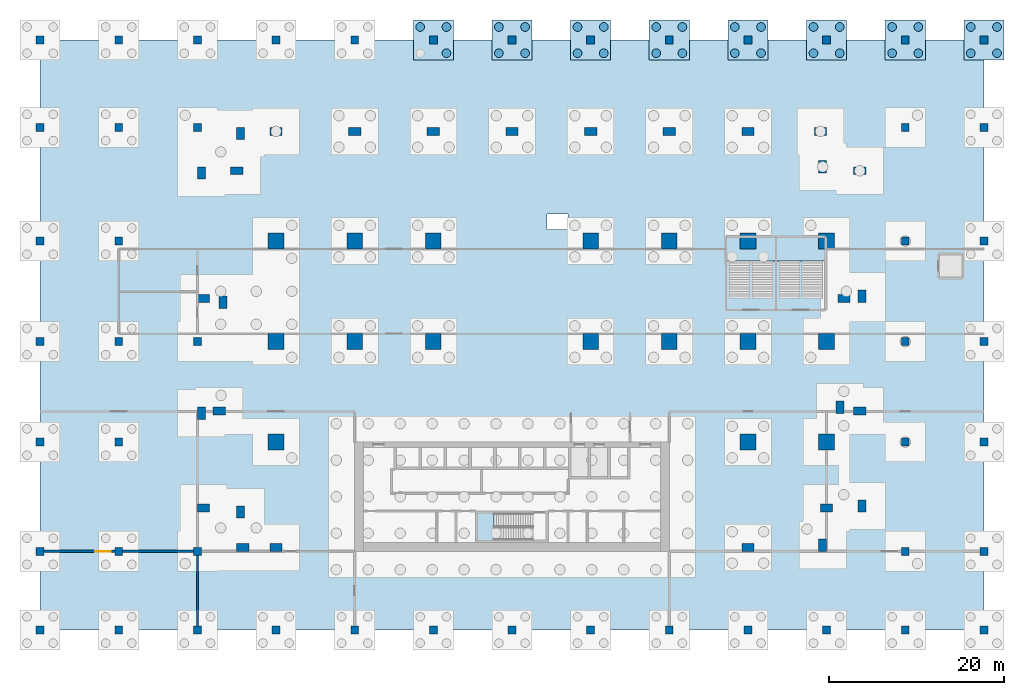
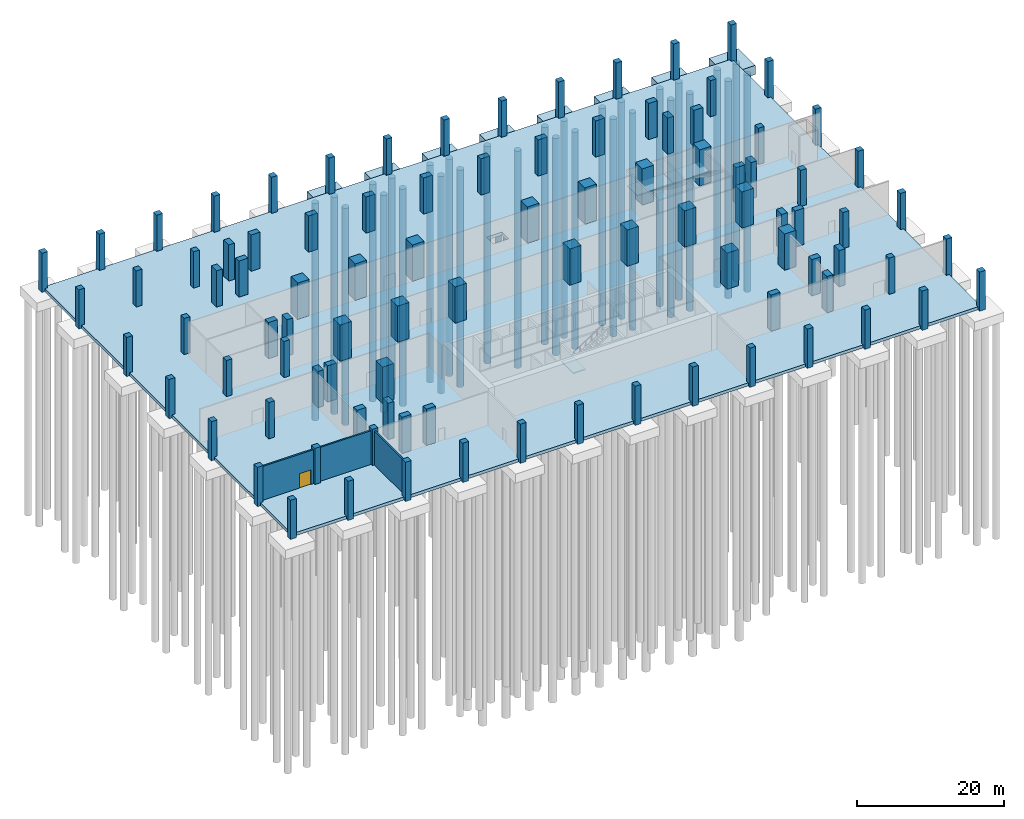
# One storey, part 3 of 9: 95 columns, 31 piles, 8 footings, 4 slabs, 2 walls, 1 door, 1 opening, 3 elements without a shape of their own.
"""IFC4 building model written with IfcOpenShell, lengths in metres."""

from ifc_helpers import new_model, si_unit, direction, frame, frame_2d, origin, origin_2d, place, context, subcontext, project, spatial, polyline, rectangle, circle, outline, extrude, material, layer, layer_set, material_profile, profile_set, type_object, element, fill, aggregate, save


model = new_model("IFC4")

# Units and contexts
model_context = context("Model", 3, precision=1e-05, world=origin(), true_north=direction((0.0, 1.0)))
body_context = subcontext(model_context, "Body", "Model", "MODEL_VIEW")
ifc_project = project(units=[si_unit("LENGTHUNIT", "METRE"), si_unit("AREAUNIT", "SQUARE_METRE"), si_unit("VOLUMEUNIT", "CUBIC_METRE"), si_unit("PLANEANGLEUNIT", "RADIAN"), si_unit("MASSUNIT", "GRAM", prefix="KILO")], contexts=[model_context])

# Site, building, storey
site_placement = place(None, origin())
site = spatial("IfcSite", under=ifc_project, at=site_placement, CompositionType="ELEMENT")
building_placement = place(site_placement, origin())
building = spatial("IfcBuilding", under=site, at=building_placement, Name="Brigalow Station Residences", CompositionType="ELEMENT")
storey_placement = place(building_placement, frame((0.0, 0.0, -6.0)))
storey = spatial("IfcBuildingStorey", under=building, at=storey_placement, Name="B1", CompositionType="ELEMENT", Elevation=-6.0)

# Piles
ifc_material_1 = material(Name="Concrete C50", Category="concrete")
ifc_material_profile_1 = material_profile(ifc_material_1, circle(Radius=0.5, at=origin_2d()), Name="BP1000")
ifc_profile_set_1 = profile_set([ifc_material_profile_1], Name="Concrete C50")
pile_type = type_object("IfcPileType", Name="BORED PILE 1000", PredefinedType="BORED", material=ifc_profile_set_1)
for number, where, z_axis, x_axis, name in (
    (1, (25.5, 60.0, -2.0), (0.0, 0.0, -1.0), (1.0, 0.0, 0.0), "BORED PILE 59-2"),
    (2, (28.5, 57.0, -2.0), (0.0, 0.0, -1.0), (1.0, 0.0, 0.0), "BORED PILE 59-3"),
    (3, (28.5, 60.0, -2.0), (0.0, 0.0, -1.0), (1.0, 0.0, 0.0), "BORED PILE 59-4"),
    (4, (34.5, 57.0, -2.0), (0.0, 0.0, -1.0), (1.0, 0.0, 0.0), "BORED PILE 60-1"),
    (5, (34.5, 60.0, -2.0), (0.0, 0.0, -1.0), (1.0, 0.0, 0.0), "BORED PILE 60-2"),
    (6, (37.5, 57.0, -2.0), (0.0, 0.0, -1.0), (1.0, 0.0, 0.0), "BORED PILE 60-3"),
    (7, (37.5, 60.0, -2.0), (0.0, 0.0, -1.0), (1.0, 0.0, 0.0), "BORED PILE 60-4"),
    (8, (43.5, 57.0, -2.0), (0.0, 0.0, -1.0), (1.0, 0.0, 0.0), "BORED PILE 61-1"),
    (9, (43.5, 60.0, -2.0), (0.0, 0.0, -1.0), (1.0, 0.0, 0.0), "BORED PILE 61-2"),
    (10, (46.5, 57.0, -2.0), (0.0, 0.0, -1.0), (1.0, 0.0, 0.0), "BORED PILE 61-3"),
    (11, (46.5, 60.0, -2.0), (0.0, 0.0, -1.0), (1.0, 0.0, 0.0), "BORED PILE 61-4"),
    (12, (52.5, 57.0, -2.0), (0.0, 0.0, -1.0), (1.0, 0.0, 0.0), "BORED PILE 62-1"),
    (13, (52.5, 60.0, -2.0), (0.0, 0.0, -1.0), (1.0, 0.0, 0.0), "BORED PILE 62-2"),
    (14, (55.5, 57.0, -2.0), (0.0, 0.0, -1.0), (1.0, 0.0, 0.0), "BORED PILE 62-3"),
    (15, (55.5, 60.0, -2.0), (0.0, 0.0, -1.0), (1.0, 0.0, 0.0), "BORED PILE 62-4"),
    (16, (61.5, 57.0, -2.0), (0.0, 0.0, -1.0), (1.0, 0.0, 0.0), "BORED PILE 63-1"),
    (17, (61.5, 60.0, -2.0), (0.0, 0.0, -1.0), (1.0, 0.0, 0.0), "BORED PILE 63-2"),
    (18, (64.5, 57.0, -2.0), (0.0, 0.0, -1.0), (1.0, 0.0, 0.0), "BORED PILE 63-3"),
    (19, (64.5, 60.0, -2.0), (0.0, 0.0, -1.0), (1.0, 0.0, 0.0), "BORED PILE 63-4"),
    (20, (70.5, 57.0, -2.0), (0.0, 0.0, -1.0), (1.0, 0.0, 0.0), "BORED PILE 64-1"),
    (21, (70.5, 60.0, -2.0), (0.0, 0.0, -1.0), (1.0, 0.0, 0.0), "BORED PILE 64-2"),
    (22, (73.5, 57.0, -2.0), (0.0, 0.0, -1.0), (1.0, 0.0, 0.0), "BORED PILE 64-3"),
    (23, (73.5, 60.0, -2.0), (0.0, 0.0, -1.0), (1.0, 0.0, 0.0), "BORED PILE 64-4"),
    (24, (79.5, 57.0, -2.0), (0.0, 0.0, -1.0), (1.0, 0.0, 0.0), "BORED PILE 65-1"),
    (25, (79.5, 60.0, -2.0), (0.0, 0.0, -1.0), (1.0, 0.0, 0.0), "BORED PILE 65-2"),
    (26, (82.5, 57.0, -2.0), (0.0, 0.0, -1.0), (1.0, 0.0, 0.0), "BORED PILE 65-3"),
    (27, (82.5, 60.0, -2.0), (0.0, 0.0, -1.0), (1.0, 0.0, 0.0), "BORED PILE 65-4"),
    (28, (88.5, 57.0, -2.0), (0.0, 0.0, -1.0), (1.0, 0.0, 0.0), "BORED PILE 66-1"),
    (29, (88.5, 60.0, -2.0), (0.0, 0.0, -1.0), (1.0, 0.0, 0.0), "BORED PILE 66-2"),
    (30, (91.5, 57.0, -2.0), (0.0, 0.0, -1.0), (1.0, 0.0, 0.0), "BORED PILE 66-3"),
    (31, (91.5, 60.0, -2.0), (0.0, 0.0, -1.0), (1.0, 0.0, 0.0), "BORED PILE 66-4"),
):
    element("IfcPile", number, at=place(storey_placement, frame(where, z_axis=z_axis, x_axis=x_axis)), inside=storey, type_object=pile_type, Name=name, PredefinedType="BORED", context=body_context, shape_type="SweptSolid", body=[
        extrude(circle(Radius=0.5, at=origin_2d()), origin(), (0.0, 0.0, 1.0), 36.0),
    ])

# Footings
ifc_material_2 = material(Name="Concrete C65", Category="concrete")
footing_type = type_object("IfcFootingType", Name="PODIUM PILE CAP", PredefinedType="PILE_CAP", material=ifc_material_2)
footing_1_placement = place(storey_placement, frame((0.0, 0.0, -2.0)))
element("IfcFooting", 32, at=footing_1_placement, inside=storey, type_object=footing_type, Name="PILE CAP 59", PredefinedType="PILE_CAP", context=body_context, shape_type="SweptSolid", body=[
    extrude(outline(polyline([(29.300048828125, 56.199951171875), (29.300048828125, 60.800048828125), (24.699951171875, 60.800048828125), (24.699951171875, 56.199951171875), (29.300048828125, 56.199951171875)])), origin(), (0.0, 0.0, 1.0), 1.5),
])
footing_2_placement = place(storey_placement, frame((0.0, 0.0, -2.0)))
element("IfcFooting", 33, at=footing_2_placement, inside=storey, type_object=footing_type, Name="PILE CAP 60", PredefinedType="PILE_CAP", context=body_context, shape_type="SweptSolid", body=[
    extrude(outline(polyline([(38.300048828125, 56.199951171875), (38.300048828125, 60.800048828125), (33.699951171875, 60.800048828125), (33.699951171875, 56.199951171875), (38.300048828125, 56.199951171875)])), origin(), (0.0, 0.0, 1.0), 1.5),
])
footing_3_placement = place(storey_placement, frame((0.0, 0.0, -2.0)))
element("IfcFooting", 34, at=footing_3_placement, inside=storey, type_object=footing_type, Name="PILE CAP 61", PredefinedType="PILE_CAP", context=body_context, shape_type="SweptSolid", body=[
    extrude(outline(polyline([(47.300048828125, 56.199951171875), (47.300048828125, 60.800048828125), (42.699951171875, 60.800048828125), (42.699951171875, 56.199951171875), (47.300048828125, 56.199951171875)])), origin(), (0.0, 0.0, 1.0), 1.5),
])
footing_4_placement = place(storey_placement, frame((0.0, 0.0, -2.0)))
element("IfcFooting", 35, at=footing_4_placement, inside=storey, type_object=footing_type, Name="PILE CAP 62", PredefinedType="PILE_CAP", context=body_context, shape_type="SweptSolid", body=[
    extrude(outline(polyline([(56.300048828125, 56.199951171875), (56.300048828125, 60.800048828125), (51.699951171875, 60.800048828125), (51.699951171875, 56.199951171875), (56.300048828125, 56.199951171875)])), origin(), (0.0, 0.0, 1.0), 1.5),
])
footing_5_placement = place(storey_placement, frame((0.0, 0.0, -2.0)))
element("IfcFooting", 36, at=footing_5_placement, inside=storey, type_object=footing_type, Name="PILE CAP 63", PredefinedType="PILE_CAP", context=body_context, shape_type="SweptSolid", body=[
    extrude(outline(polyline([(65.300048828125, 56.199951171875), (65.300048828125, 60.800048828125), (60.699951171875, 60.800048828125), (60.699951171875, 56.199951171875), (65.300048828125, 56.199951171875)])), origin(), (0.0, 0.0, 1.0), 1.5),
])
footing_6_placement = place(storey_placement, frame((0.0, 0.0, -2.0)))
element("IfcFooting", 37, at=footing_6_placement, inside=storey, type_object=footing_type, Name="PILE CAP 64", PredefinedType="PILE_CAP", context=body_context, shape_type="SweptSolid", body=[
    extrude(outline(polyline([(74.300048828125, 56.199951171875), (74.300048828125, 60.800048828125), (69.699951171875, 60.800048828125), (69.699951171875, 56.199951171875), (74.300048828125, 56.199951171875)])), origin(), (0.0, 0.0, 1.0), 1.5),
])
footing_7_placement = place(storey_placement, frame((0.0, 0.0, -2.0)))
element("IfcFooting", 38, at=footing_7_placement, inside=storey, type_object=footing_type, Name="PILE CAP 65", PredefinedType="PILE_CAP", context=body_context, shape_type="SweptSolid", body=[
    extrude(outline(polyline([(83.300048828125, 56.199951171875), (83.300048828125, 60.800048828125), (78.699951171875, 60.800048828125), (78.699951171875, 56.199951171875), (83.300048828125, 56.199951171875)])), origin(), (0.0, 0.0, 1.0), 1.5),
])
footing_8_placement = place(storey_placement, frame((0.0, 0.0, -2.0)))
element("IfcFooting", 39, at=footing_8_placement, inside=storey, type_object=footing_type, Name="PILE CAP 66", PredefinedType="PILE_CAP", context=body_context, shape_type="SweptSolid", body=[
    extrude(outline(polyline([(92.300048828125, 56.199951171875), (92.300048828125, 60.800048828125), (87.699951171875, 60.800048828125), (87.699951171875, 56.199951171875), (92.300048828125, 56.199951171875)])), origin(), (0.0, 0.0, 1.0), 1.5),
])

# Columns
ifc_material_3 = material(Name="Concrete C80", Category="concrete")
ifc_material_profile_2 = material_profile(ifc_material_3, rectangle(XDim=1.800048828125, YDim=1.800048828125, at=origin_2d()), Name="RC1800x1800")
ifc_profile_set_2 = profile_set([ifc_material_profile_2], Name="Concrete C80")
column_type_1 = type_object("IfcColumnType", Name="COLUMN 1800x1800 C80", PredefinedType="COLUMN", material=ifc_profile_set_2)
for number, where, z_axis, x_axis, name in (
    (40, (9.0, 12.5, -0.5), (0.0, 0.0, 1.0), (1.0, 0.0, 0.0), "COLUMN B1 B1"),
    (41, (9.0, 24.0, -0.5), (0.0, 0.0, 1.0), (1.0, 0.0, 0.0), "COLUMN C1 B1"),
    (42, (9.0, 35.5, -0.5), (0.0, 0.0, 1.0), (1.0, 0.0, 0.0), "COLUMN D1 B1"),
    (43, (18.0, 24.0, -0.5), (0.0, 0.0, 1.0), (1.0, 0.0, 0.0), "COLUMN C2 B1"),
    (44, (18.0, 35.5, -0.5), (0.0, 0.0, 1.0), (1.0, 0.0, 0.0), "COLUMN D2 B1"),
    (45, (27.0, 24.0, -0.5), (0.0, 0.0, 1.0), (1.0, 0.0, 0.0), "COLUMN C3 B1"),
    (46, (27.0, 35.5, -0.5), (0.0, 0.0, 1.0), (1.0, 0.0, 0.0), "COLUMN D3 B1"),
    (47, (45.0, 24.0, -0.5), (0.0, 0.0, 1.0), (1.0, 0.0, 0.0), "COLUMN C5 B1"),
    (48, (45.0, 35.5, -0.5), (0.0, 0.0, 1.0), (1.0, 0.0, 0.0), "COLUMN D5 B1"),
    (49, (54.0, 24.0, -0.5), (0.0, 0.0, 1.0), (1.0, 0.0, 0.0), "COLUMN C6 B1"),
    (50, (54.0, 35.5, -0.5), (0.0, 0.0, 1.0), (1.0, 0.0, 0.0), "COLUMN D6 B1"),
    (51, (63.0, 12.5, -0.5), (0.0, 0.0, 1.0), (1.0, 0.0, 0.0), "COLUMN B7 B1"),
    (52, (63.0, 24.0, -0.5), (0.0, 0.0, 1.0), (1.0, 0.0, 0.0), "COLUMN C7 B1"),
    (53, (63.0, 35.5, -0.5), (0.0, 0.0, 1.0), (1.0, 0.0, 0.0), "COLUMN D7 B1"),
    (54, (72.0, 12.5, -0.5), (0.0, 0.0, 1.0), (1.0, 0.0, 0.0), "COLUMN B8 B1"),
    (55, (72.0, 24.0, -0.5), (0.0, 0.0, 1.0), (1.0, 0.0, 0.0), "COLUMN C8 B1"),
    (56, (72.0, 35.5, -0.5), (0.0, 0.0, 1.0), (1.0, 0.0, 0.0), "COLUMN D8 B1"),
):
    element("IfcColumn", number, at=place(storey_placement, frame(where, z_axis=z_axis, x_axis=x_axis)), inside=storey, type_object=column_type_1, Name=name, PredefinedType="COLUMN", context=body_context, shape_type="SweptSolid", body=[
        extrude(rectangle(XDim=1.800048828125, YDim=1.800048828125, at=origin_2d()), origin(), (0.0, 0.0, 1.0), 6.5),
    ])
ifc_material_4 = material(Name="Concrete C50", Category="concrete")
ifc_material_profile_3 = material_profile(ifc_material_4, rectangle(XDim=0.89990234375, YDim=0.89990234375, at=origin_2d()), Name="RC900x900")
ifc_profile_set_3 = profile_set([ifc_material_profile_3], Name="Concrete C50")
column_type_2 = type_object("IfcColumnType", Name="COLUMN 900x900 C50", PredefinedType="COLUMN", material=ifc_profile_set_3)
for number, where, z_axis, x_axis, name in (
    (57, (-18.0, -9.0, -0.5), (0.0, 0.0, 1.0), (1.0, 0.0, 0.0), "COLUMN ZW2 B1"),
    (58, (-18.0, 0.0, -0.5), (0.0, 0.0, 1.0), (1.0, 0.0, 0.0), "COLUMN AW2 B1"),
    (59, (-18.0, 12.5, -0.5), (0.0, 0.0, 1.0), (1.0, 0.0, 0.0), "COLUMN BW2 B1"),
    (60, (-18.0, 24.0, -0.5), (0.0, 0.0, 1.0), (1.0, 0.0, 0.0), "COLUMN CW2 B1"),
    (61, (-18.0, 35.5, -0.5), (0.0, 0.0, 1.0), (1.0, 0.0, 0.0), "COLUMN DW2 B1"),
    (62, (-18.0, 48.5, -0.5), (0.0, 0.0, 1.0), (1.0, 0.0, 0.0), "COLUMN EW2 B1"),
    (63, (-18.0, 58.5, -0.5), (0.0, 0.0, 1.0), (1.0, 0.0, 0.0), "COLUMN FW2 B1"),
    (64, (-9.0, -9.0, -0.5), (0.0, 0.0, 1.0), (1.0, 0.0, 0.0), "COLUMN ZW1 B1"),
    (65, (-9.0, 0.0, -0.5), (0.0, 0.0, 1.0), (1.0, 0.0, 0.0), "COLUMN AW1 B1"),
    (66, (-9.0, 12.5, -0.5), (0.0, 0.0, 1.0), (1.0, 0.0, 0.0), "COLUMN BW1 B1"),
    (67, (-9.0, 24.0, -0.5), (0.0, 0.0, 1.0), (1.0, 0.0, 0.0), "COLUMN CW1 B1"),
    (68, (-9.0, 35.5, -0.5), (0.0, 0.0, 1.0), (1.0, 0.0, 0.0), "COLUMN DW1 B1"),
    (69, (-9.0, 48.5, -0.5), (0.0, 0.0, 1.0), (1.0, 0.0, 0.0), "COLUMN EW1 B1"),
    (70, (-9.0, 58.5, -0.5), (0.0, 0.0, 1.0), (1.0, 0.0, 0.0), "COLUMN FW1 B1"),
    (71, (0.0, -9.0, -0.5), (0.0, 0.0, 1.0), (1.0, 0.0, 0.0), "COLUMN Z0 B1"),
    (72, (0.0, 0.0, -0.5), (0.0, 0.0, 1.0), (1.0, 0.0, 0.0), "COLUMN A0 B1"),
    (73, (0.0, 24.0, -0.5), (0.0, 0.0, 1.0), (1.0, 0.0, 0.0), "COLUMN C0 B1"),
    (74, (0.0, 48.5, -0.5), (0.0, 0.0, 1.0), (1.0, 0.0, 0.0), "COLUMN E0 B1"),
    (75, (0.0, 58.5, -0.5), (0.0, 0.0, 1.0), (1.0, 0.0, 0.0), "COLUMN F0 B1"),
    (76, (9.0, -9.0, -0.5), (0.0, 0.0, 1.0), (1.0, 0.0, 0.0), "COLUMN Z1 B1"),
    (77, (9.0, 58.5, -0.5), (0.0, 0.0, 1.0), (1.0, 0.0, 0.0), "COLUMN F1 B1"),
    (78, (18.0, -9.0, -0.5), (0.0, 0.0, 1.0), (1.0, 0.0, 0.0), "COLUMN Z2 B1"),
    (79, (18.0, 58.5, -0.5), (0.0, 0.0, 1.0), (1.0, 0.0, 0.0), "COLUMN F2 B1"),
    (80, (27.0, -9.0, -0.5), (0.0, 0.0, 1.0), (1.0, 0.0, 0.0), "COLUMN Z3 B1"),
    (81, (27.0, 58.5, -0.5), (0.0, 0.0, 1.0), (1.0, 0.0, 0.0), "COLUMN F3 B1"),
    (82, (36.0, -9.0, -0.5), (0.0, 0.0, 1.0), (1.0, 0.0, 0.0), "COLUMN Z4 B1"),
    (83, (36.0, 58.5, -0.5), (0.0, 0.0, 1.0), (1.0, 0.0, 0.0), "COLUMN F4 B1"),
    (84, (45.0, -9.0, -0.5), (0.0, 0.0, 1.0), (1.0, 0.0, 0.0), "COLUMN Z5 B1"),
    (85, (45.0, 58.5, -0.5), (0.0, 0.0, 1.0), (1.0, 0.0, 0.0), "COLUMN F5 B1"),
    (86, (54.0, -9.0, -0.5), (0.0, 0.0, 1.0), (1.0, 0.0, 0.0), "COLUMN Z6 B1"),
    (87, (54.0, 58.5, -0.5), (0.0, 0.0, 1.0), (1.0, 0.0, 0.0), "COLUMN F6 B1"),
    (88, (63.0, -9.0, -0.5), (0.0, 0.0, 1.0), (1.0, 0.0, 0.0), "COLUMN Z7 B1"),
    (89, (63.0, 58.5, -0.5), (0.0, 0.0, 1.0), (1.0, 0.0, 0.0), "COLUMN F7 B1"),
    (90, (72.0, -9.0, -0.5), (0.0, 0.0, 1.0), (1.0, 0.0, 0.0), "COLUMN Z8 B1"),
    (91, (72.0, 58.5, -0.5), (0.0, 0.0, 1.0), (1.0, 0.0, 0.0), "COLUMN F8 B1"),
    (92, (81.0, -9.0, -0.5), (0.0, 0.0, 1.0), (1.0, 0.0, 0.0), "COLUMN Z9 B1"),
    (93, (81.0, 0.0, -0.5), (0.0, 0.0, 1.0), (1.0, 0.0, 0.0), "COLUMN A9 B1"),
    (94, (81.0, 12.5, -0.5), (0.0, 0.0, 1.0), (1.0, 0.0, 0.0), "COLUMN B9 B1"),
    (95, (81.0, 24.0, -0.5), (0.0, 0.0, 1.0), (1.0, 0.0, 0.0), "COLUMN C9 B1"),
    (96, (81.0, 35.5, -0.5), (0.0, 0.0, 1.0), (1.0, 0.0, 0.0), "COLUMN D9 B1"),
    (97, (81.0, 48.5, -0.5), (0.0, 0.0, 1.0), (1.0, 0.0, 0.0), "COLUMN E9 B1"),
    (98, (81.0, 58.5, -0.5), (0.0, 0.0, 1.0), (1.0, 0.0, 0.0), "COLUMN F9 B1"),
    (99, (90.0, -9.0, -0.5), (0.0, 0.0, 1.0), (1.0, 0.0, 0.0), "COLUMN Z10 B1"),
    (100, (90.0, 0.0, -0.5), (0.0, 0.0, 1.0), (1.0, 0.0, 0.0), "COLUMN A10 B1"),
    (101, (90.0, 12.5, -0.5), (0.0, 0.0, 1.0), (1.0, 0.0, 0.0), "COLUMN B10 B1"),
    (102, (90.0, 24.0, -0.5), (0.0, 0.0, 1.0), (1.0, 0.0, 0.0), "COLUMN C10 B1"),
    (103, (90.0, 35.5, -0.5), (0.0, 0.0, 1.0), (1.0, 0.0, 0.0), "COLUMN D10 B1"),
    (104, (90.0, 48.5, -0.5), (0.0, 0.0, 1.0), (1.0, 0.0, 0.0), "COLUMN E10 B1"),
    (105, (90.0, 58.5, -0.5), (0.0, 0.0, 1.0), (1.0, 0.0, 0.0), "COLUMN F10 B1"),
):
    element("IfcColumn", number, at=place(storey_placement, frame(where, z_axis=z_axis, x_axis=x_axis)), inside=storey, type_object=column_type_2, Name=name, PredefinedType="COLUMN", context=body_context, shape_type="SweptSolid", body=[
        extrude(rectangle(XDim=0.89990234375, YDim=0.89990234375, at=origin_2d()), origin(), (0.0, 0.0, 1.0), 6.5),
    ])
ifc_material_5 = material(Name="Concrete C80", Category="concrete")
ifc_material_profile_4 = material_profile(ifc_material_5, rectangle(XDim=1.39990234375, YDim=0.89990234375, at=origin_2d()), Name="RC1400x900")
ifc_profile_set_4 = profile_set([ifc_material_profile_4], Name="Concrete C80")
column_type_3 = type_object("IfcColumnType", Name="PIER 1400x900 C80", PredefinedType="USERDEFINED", material=ifc_profile_set_4)
for number, where, z_axis, x_axis, name in (
    (106, (9.0, 0.449951171875, -0.5), (0.0, 0.0, 1.0), (1.0, 0.0, 0.0), "PIER S-2 B1"),
    (107, (63.0, 0.449951171875, -0.5), (0.0, 0.0, 1.0), (1.0, 0.0, 0.0), "PIER S-14 B1"),
    (108, (71.550048828125, 0.699951171875, -0.5), (0.0, 0.0, 1.0), (0.0, 1.0, 0.0), "PIER SE1-1 B1"),
    (109, (72.0, 4.949951171875, -0.5), (0.0, 0.0, 1.0), (1.0, 0.0, 0.0), "PIER SE2-1 B1"),
    (110, (76.050048828125, 5.199951171875, -0.5), (0.0, 0.0, 1.0), (0.0, 1.0, 0.0), "PIER E1-1 B1"),
    (111, (75.800048828125, 16.050048828125, -0.5), (0.0, 0.0, 1.0), (-1.0, 0.0, 0.0), "PIER EL1-1 B1"),
    (112, (73.550048828125, 16.5, -0.5), (0.0, 0.0, 1.0), (0.0, 1.0, 0.0), "PIER EL2-1 B1"),
    (113, (74.0, 28.949951171875, -0.5), (0.0, 0.0, 1.0), (1.0, 0.0, 0.0), "PIER EL3-1 B1"),
    (114, (76.050048828125, 29.199951171875, -0.5), (0.0, 0.0, 1.0), (0.0, 1.0, 0.0), "PIER E2-1 B1"),
    (115, (75.800048828125, 43.550048828125, -0.5), (0.0, 0.0, 1.0), (-1.0, 0.0, 0.0), "PIER NE1-1 B1"),
    (116, (71.550048828125, 44.0, -0.5), (0.0, 0.0, 1.0), (0.0, 1.0, 0.0), "PIER NE2-1 B1"),
    (117, (71.300048828125, 48.050048828125, -0.5), (0.0, 0.0, 1.0), (-1.0, 0.0, 0.0), "PIER N-1 B1"),
    (118, (63.0, 48.050048828125, -0.5), (0.0, 0.0, 1.0), (-1.0, 0.0, 0.0), "PIER N-3 B1"),
    (119, (54.0, 48.050048828125, -0.5), (0.0, 0.0, 1.0), (-1.0, 0.0, 0.0), "PIER N-5 B1"),
    (120, (45.0, 48.050048828125, -0.5), (0.0, 0.0, 1.0), (-1.0, 0.0, 0.0), "PIER N-7 B1"),
    (121, (36.0, 48.050048828125, -0.5), (0.0, 0.0, 1.0), (-1.0, 0.0, 0.0), "PIER N-9 B1"),
    (122, (27.0, 48.050048828125, -0.5), (0.0, 0.0, 1.0), (-1.0, 0.0, 0.0), "PIER N-11 B1"),
    (123, (18.0, 48.050048828125, -0.5), (0.0, 0.0, 1.0), (-1.0, 0.0, 0.0), "PIER N-13 B1"),
    (124, (9.0, 48.050048828125, -0.5), (0.0, 0.0, 1.0), (-1.0, 0.0, 0.0), "PIER N-15 B1"),
    (125, (4.949951171875, 47.800048828125, -0.5), (0.0, 0.0, 1.0), (0.0, -1.0, 0.0), "PIER NW1-1 B1"),
    (126, (4.5, 43.550048828125, -0.5), (0.0, 0.0, 1.0), (-1.0, 0.0, 0.0), "PIER NW2-1 B1"),
    (127, (0.449951171875, 43.300048828125, -0.5), (0.0, 0.0, 1.0), (0.0, -1.0, 0.0), "PIER W2-1 B1"),
    (128, (0.699951171875, 28.949951171875, -0.5), (0.0, 0.0, 1.0), (1.0, 0.0, 0.0), "PIER WL1-1 B1"),
    (129, (2.949951171875, 28.5, -0.5), (0.0, 0.0, 1.0), (0.0, -1.0, 0.0), "PIER WL2-1 B1"),
    (130, (2.5, 16.050048828125, -0.5), (0.0, 0.0, 1.0), (-1.0, 0.0, 0.0), "PIER WL3-1 B1"),
    (131, (0.449951171875, 15.800048828125, -0.5), (0.0, 0.0, 1.0), (0.0, -1.0, 0.0), "PIER W1-1 B1"),
    (132, (0.699951171875, 4.949951171875, -0.5), (0.0, 0.0, 1.0), (1.0, 0.0, 0.0), "PIER SW1-1 B1"),
    (133, (4.949951171875, 4.5, -0.5), (0.0, 0.0, 1.0), (0.0, -1.0, 0.0), "PIER SW2-1 B1"),
    (134, (5.199951171875, 0.449951171875, -0.5), (0.0, 0.0, 1.0), (1.0, 0.0, 0.0), "PIER S-1 B1"),
):
    element("IfcColumn", number, at=place(storey_placement, frame(where, z_axis=z_axis, x_axis=x_axis)), inside=storey, type_object=column_type_3, Name=name, ObjectType="PIER", PredefinedType="USERDEFINED", context=body_context, shape_type="SweptSolid", body=[
        extrude(rectangle(XDim=1.39990234375, YDim=0.89990234375, at=origin_2d()), origin(), (0.0, 0.0, 1.0), 6.5),
    ])

# Slab
ifc_material_6 = material(Name="Concrete C50", Category="concrete")
ifc_layer_1 = layer(ifc_material_6, 0.5)
ifc_layer_set_1 = layer_set([ifc_layer_1], Name="BASE SLAB 500 C50")
slab_type_1 = type_object("IfcSlabType", Name="BASE SLAB 500 C50", PredefinedType="BASESLAB", material=ifc_layer_set_1)
slab_1_placement = place(storey_placement, frame((0.0, 0.0, -0.5)))
element("IfcSlab", 135, at=slab_1_placement, inside=storey, type_object=slab_type_1, Name="BASE SLAB B1", PredefinedType="BASESLAB", context=body_context, shape_type="SweptSolid", body=[
    extrude(outline(polyline([(-18.0, -9.0), (90.0, -9.0), (90.0, 58.5), (-18.0, 58.5), (-18.0, -9.0)]), holes=[polyline([(40.0, 38.60009765625), (42.39990234375, 38.60009765625), (42.39990234375, 36.800048828125), (40.0, 36.800048828125), (40.0, 38.60009765625)])]), origin(), (0.0, 0.0, 1.0), 0.5),
])

# Stair, slab
ifc_material_7 = material(Name="Concrete C50", Category="concrete")
stair_type_1 = type_object("IfcStairType", Name="STAIR EXIT 2400 2 FLIGHTS", PredefinedType="TWO_STRAIGHT_RUN_STAIR", material=ifc_material_7)
stair_1_placement = place(storey_placement, origin())
stair_1 = element("IfcStair", 136, at=stair_1_placement, inside=storey, type_object=stair_type_1, Name="Exit stair ST-11", PredefinedType="TWO_STRAIGHT_RUN_STAIR")
ifc_material_8 = material(Name="Concrete C50", Category="concrete")
ifc_layer_2 = layer(ifc_material_8, 0.199951171875)
ifc_layer_set_2 = layer_set([ifc_layer_2], Name="STAIR LANDING")
slab_type_2 = type_object("IfcSlabType", Name="STAIR LANDING", PredefinedType="LANDING", material=ifc_layer_set_2)
slab_2_placement = place(storey_placement, frame((0.0, 0.0, 2.800048828125)))
slab_2 = element("IfcSlab", 137, at=slab_2_placement, type_object=slab_type_2, Name="ST-11 landing 1", PredefinedType="LANDING", context=body_context, shape_type="SweptSolid", body=[
    extrude(outline(polyline([(60.52490234375, 33.2451171875), (66.175048828125, 33.2451171875), (66.175048828125, 35.97509765625), (60.52490234375, 35.97509765625), (60.52490234375, 33.2451171875)])), origin(), (0.0, 0.0, 1.0), 0.199951171875),
])
aggregate(stair_1, [slab_2])

stair_2_placement = place(storey_placement, origin())
stair_2 = element("IfcStair", 138, at=stair_2_placement, inside=storey, type_object=stair_type_1, Name="Exit stair ST-12", PredefinedType="TWO_STRAIGHT_RUN_STAIR")
slab_3_placement = place(storey_placement, frame((0.0, 0.0, 2.800048828125)))
slab_3 = element("IfcSlab", 139, at=slab_3_placement, type_object=slab_type_2, Name="ST-12 landing 1", PredefinedType="LANDING", context=body_context, shape_type="SweptSolid", body=[
    extrude(outline(polyline([(66.22509765625, 33.2451171875), (71.875, 33.2451171875), (71.875, 35.97509765625), (66.22509765625, 35.97509765625), (66.22509765625, 33.2451171875)])), origin(), (0.0, 0.0, 1.0), 0.199951171875),
])
aggregate(stair_2, [slab_3])

ifc_material_9 = material(Name="Concrete C50", Category="concrete")
stair_type_2 = type_object("IfcStairType", Name="EXIT STAIR 1400 2 FLIGHT", PredefinedType="HALF_TURN_STAIR", material=ifc_material_9)
stair_3_placement = place(storey_placement, origin())
stair_3 = element("IfcStair", 140, at=stair_3_placement, inside=storey, type_object=stair_type_2, Name="EXIT STAIR S2 B1", PredefinedType="HALF_TURN_STAIR")
ifc_material_10 = material(Name="Concrete C50", Category="concrete")
ifc_layer_3 = layer(ifc_material_10, 0.199951171875)
ifc_layer_set_3 = layer_set([ifc_layer_3], Name="STAIR LANDING 200")
slab_type_3 = type_object("IfcSlabType", Name="STAIR LANDING 200", PredefinedType="LANDING", material=ifc_layer_set_3)
slab_4_placement = place(storey_placement, frame((0.0, 0.0, 2.800048828125)))
slab_4 = element("IfcSlab", 141, at=slab_4_placement, type_object=slab_type_3, Name="ST-2 landing 1", PredefinedType="LANDING", context=body_context, shape_type="SweptSolid", body=[
    extrude(outline(polyline([(32.0, 1.199951171875), (33.919921875, 1.199951171875), (33.919921875, 4.39990234375), (32.0, 4.39990234375), (32.0, 1.199951171875)])), origin(), (0.0, 0.0, 1.0), 0.199951171875),
])
aggregate(stair_3, [slab_4])

# Wall, opening, door
ifc_material_11 = material(Name="Fire-rated plasterboard on steel studs", Category="steel")
ifc_layer_4 = layer(ifc_material_11, 0.25)
ifc_layer_set_4 = layer_set([ifc_layer_4], Name="FIRE PARTITION 250")
wall_type = type_object("IfcWallType", Name="FIRE PARTITION 250", PredefinedType="PARTITIONING", material=ifc_layer_set_4)
wall_1_placement = place(storey_placement, frame((-18.0, 0.0, 0.0), z_axis=(0.0, 0.0, 1.0), x_axis=(1.0, 0.0, 0.0)))
wall_1 = element("IfcWall", 142, at=wall_1_placement, inside=storey, type_object=wall_type, Name="Fire Partition 250 Station Plant Room / Station Generator Room", PredefinedType="PARTITIONING", context=body_context, shape_type="SweptSolid", body=[
    extrude(rectangle(XDim=18.0, YDim=0.25, at=frame_2d((9.0, 0.0))), origin(), (0.0, 0.0, 1.0), 5.597900390625),
])
opening_placement = place(wall_1_placement, frame((6.300048828125, 0.0, 0.0)))
opening = element("IfcOpeningElement", 143, at=opening_placement, cuts=wall_1, Name="Opening D-7012", PredefinedType="OPENING", context=body_context, shape_type="SweptSolid", body=[
    extrude(rectangle(XDim=1.800048828125, YDim=2.39990234375, at=frame_2d((0.89990234375, 1.199951171875))), frame((0.0, 0.135009765625, 0.0), z_axis=(0.0, -1.0, 0.0), x_axis=(1.0, 0.0, 0.0)), (0.0, 0.0, 1.0), 0.27001953125),
])
ifc_material_12 = material(Name="Steel fire door leaves in steel frame", Category="steel")
door_type = type_object("IfcDoorType", Name="DOOR DOUBLE 1800 FIRE", OperationType="DOUBLE_DOOR_SINGLE_SWING", PredefinedType="DOOR", material=ifc_material_12)
door_placement = place(opening_placement, frame((1.800048828125, 0.0, 0.0), z_axis=(0.0, 0.0, 1.0), x_axis=(-1.0, 0.0, 0.0)))
door = element("IfcDoor", 144, at=door_placement, inside=storey, type_object=door_type, Name="Station generator room door", OperationType="DOUBLE_DOOR_SINGLE_SWING", OverallHeight=2.39990234375, OverallWidth=1.800048828125, PredefinedType="DOOR", context=body_context, shape_type="SweptSolid", body=[
    extrude(rectangle(XDim=1.800048828125, YDim=2.39990234375, at=frame_2d((0.89990234375, 1.199951171875))), frame((0.0, 0.02490234375, 0.0), z_axis=(0.0, -1.0, 0.0), x_axis=(1.0, 0.0, 0.0)), (0.0, 0.0, 1.0), 0.050048828125),
])
fill(opening, door)

# Wall
wall_2_placement = place(storey_placement, frame((0.0, -9.0, 0.0), z_axis=(0.0, 0.0, 1.0), x_axis=(0.0, 1.0, 0.0)))
element("IfcWall", 145, at=wall_2_placement, inside=storey, type_object=wall_type, Name="Fire Partition 250 Station Generator Room / Station Cleaners Store", PredefinedType="PARTITIONING", context=body_context, shape_type="SweptSolid", body=[
    extrude(rectangle(XDim=9.0, YDim=0.25, at=frame_2d((4.5, 0.0))), origin(), (0.0, 0.0, 1.0), 5.597900390625),
])

save(model, "model.ifc")
